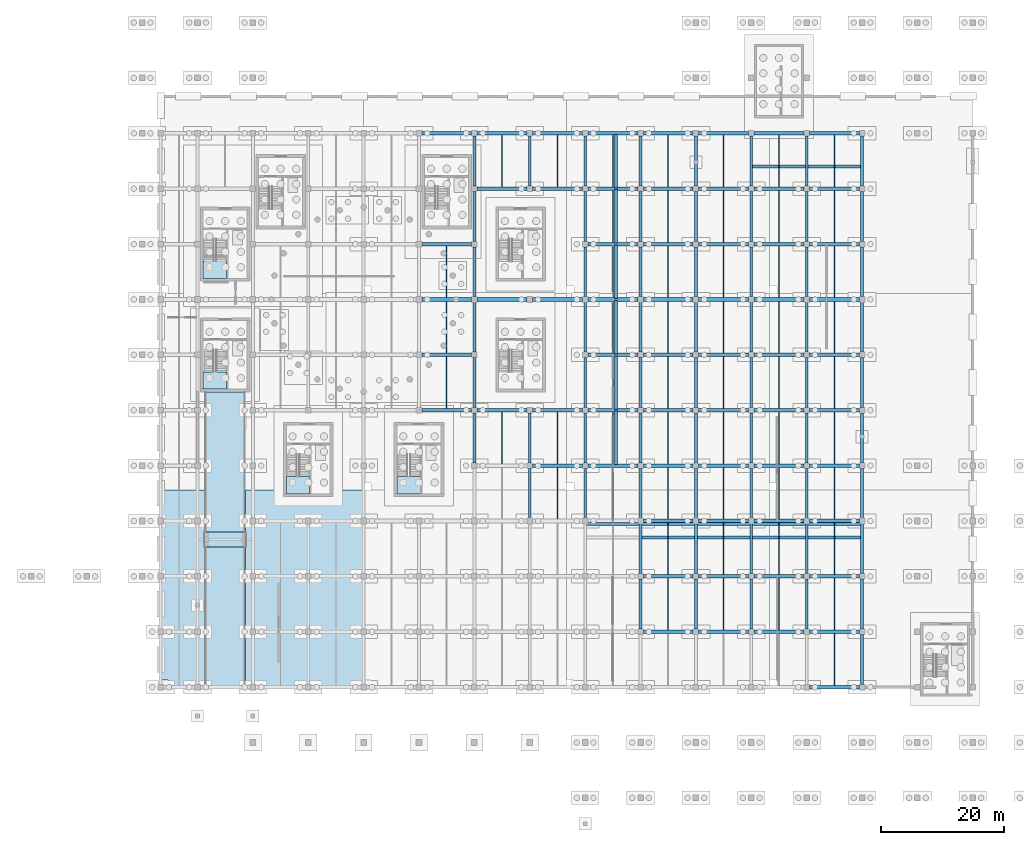
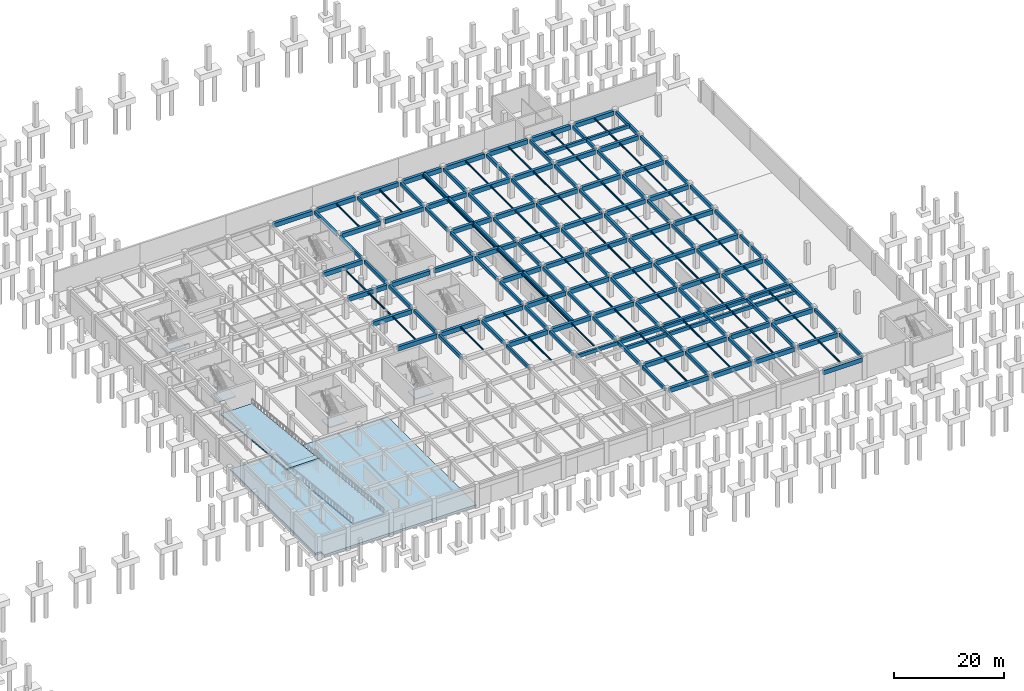
# One storey, part 14 of 27: 193 beams, 8 slabs, 4 elements without a shape of their own.
"""IFC4 building model written with IfcOpenShell, lengths in metres."""

import ifcopenshell
import ifcopenshell.guid

model = None  # the IFC model being written
_history = None  # IfcOwnerHistory: only IFC2X3 demands one
_inside = {}  # id of a spatial element -> (the spatial element, [elements in it])
_under = {}  # id of a project, library or spatial element -> (it, [spatial elements below it])
_declared = {}  # id of a project -> (the project, [libraries it declares])
_typed = {}  # id of a type object -> (the type object, [elements of that type])
_made_of = {}  # id of a material, layer set ... -> (it, [elements and type objects made of it])


def new_model(schema):
    """Start an empty IFC model of exactly this schema.

    Asked for "IFC4X3", IfcOpenShell would pick the latest addendum, in which some entities
    have other attributes; the version numbers below select the first issue.
    IFC2X3 requires an IfcOwnerHistory on every rooted entity: one is made here for all.
    """
    global model, _history
    if schema == "IFC4X3":
        model = ifcopenshell.file(schema_version=(4, 3, 0, 0))
    else:
        model = ifcopenshell.file(schema=schema)
    _inside.clear()
    _under.clear()
    _declared.clear()
    _typed.clear()
    _made_of.clear()
    _history = None
    if model.schema == "IFC2X3":
        org = make("IfcOrganization", Name="unknown")
        user = make(
            "IfcPersonAndOrganization",
            ThePerson=make("IfcPerson", FamilyName="unknown"),
            TheOrganization=org,
        )
        app = make(
            "IfcApplication",
            ApplicationDeveloper=org,
            Version="unknown",
            ApplicationFullName="unknown",
            ApplicationIdentifier="unknown",
        )
        _history = make(
            "IfcOwnerHistory",
            OwningUser=user,
            OwningApplication=app,
            ChangeAction="ADDED",
            CreationDate=0,
        )
    return model


def make(cls, **values):
    """One entity of the class cls with the attributes given. An attribute that is None is left unset."""
    return model.create_entity(
        cls, **{name: value for name, value in values.items() if value is not None}
    )


def rooted(cls, **values):
    """An entity with a GlobalId (a new one), such as an element, a storey or a relation."""
    return make(cls, GlobalId=ifcopenshell.guid.new(), OwnerHistory=_history, **values)


def si_unit(unit_type, name, prefix=None):
    """IfcSIUnit, for example si_unit("LENGTHUNIT", "METRE", prefix="MILLI")."""
    return make("IfcSIUnit", UnitType=unit_type, Prefix=prefix, Name=name)


def assignment(units):
    """IfcUnitAssignment: the units of a project."""
    return None if units is None else make("IfcUnitAssignment", Units=units)


def point(xyz):
    """IfcCartesianPoint."""
    return None if xyz is None else make("IfcCartesianPoint", Coordinates=xyz)


def direction(xyz):
    """IfcDirection."""
    return None if xyz is None else make("IfcDirection", DirectionRatios=xyz)


def frame(location, z_axis=None, x_axis=None):
    """IfcAxis2Placement3D, a coordinate frame: its origin and axes. An axis left out is left unset."""
    return make(
        "IfcAxis2Placement3D",
        Location=point(location),
        Axis=direction(z_axis),
        RefDirection=direction(x_axis),
    )


def frame_2d(location, x_axis=None):
    """IfcAxis2Placement2D, a coordinate frame in the plane: its origin and x axis."""
    return make(
        "IfcAxis2Placement2D", Location=point(location), RefDirection=direction(x_axis)
    )


def origin():
    """The frame at (0, 0, 0) with its axes left unset."""
    return frame((0.0, 0.0, 0.0))


def origin_2d():
    """The frame at (0, 0) in the plane with its x axis left unset."""
    return frame_2d((0.0, 0.0))


def place(relative_to, where):
    """IfcLocalPlacement: puts the frame where relative to a parent placement (None: the world)."""
    return make(
        "IfcLocalPlacement", PlacementRelTo=relative_to, RelativePlacement=where
    )


def context(
    kind, dimensions, precision=None, world=None, true_north=None, identifier=None
):
    """IfcGeometricRepresentationContext, for example the 3D "Model" context."""
    return make(
        "IfcGeometricRepresentationContext",
        ContextIdentifier=identifier,
        ContextType=kind,
        CoordinateSpaceDimension=dimensions,
        Precision=precision,
        WorldCoordinateSystem=world,
        TrueNorth=true_north,
    )


def subcontext(parent, identifier, kind, view, scale=None):
    """IfcGeometricRepresentationSubContext, for example "Body" below "Model"."""
    return make(
        "IfcGeometricRepresentationSubContext",
        ContextIdentifier=identifier,
        ContextType=kind,
        ParentContext=parent,
        TargetScale=scale,
        TargetView=view,
    )


def project(units=None, contexts=None):
    """IfcProject with its units and contexts."""
    return rooted(
        "IfcProject",
        Name="project",
        RepresentationContexts=contexts,
        UnitsInContext=assignment(units),
    )


def spatial(cls, under=None, at=None, **own):
    """A site, building, storey or space (cls), placed at a placement, below another one or the project."""
    s = rooted(cls, ObjectPlacement=at, **own)
    if under is not None:
        _under.setdefault(under.id(), (under, []))[1].append(s)
    return s


def polyline(points):
    """IfcPolyline through the points."""
    return make("IfcPolyline", Points=[point(p) for p in points])


def profile(cls, at=None, kind="AREA", **sizes):
    """A parametric profile (cls). Its sizes go by their IFC names, for example OverallWidth=200.0."""
    return make(cls, ProfileType=kind, Position=at, **sizes)


def rectangle(**sizes):
    """IfcRectangleProfileDef."""
    return profile("IfcRectangleProfileDef", **sizes)


def i_section(**sizes):
    """IfcIShapeProfileDef."""
    return profile("IfcIShapeProfileDef", **sizes)


def outline(outer, holes=None, kind="AREA"):
    """IfcArbitraryClosedProfileDef: a profile drawn as a closed curve; with holes, ...WithVoids."""
    if holes is None:
        return make("IfcArbitraryClosedProfileDef", ProfileType=kind, OuterCurve=outer)
    return make(
        "IfcArbitraryProfileDefWithVoids",
        ProfileType=kind,
        OuterCurve=outer,
        InnerCurves=holes,
    )


def extrude(swept, where, along, depth):
    """IfcExtrudedAreaSolid: the profile swept, set in the frame where, extruded along a direction by depth."""
    return make(
        "IfcExtrudedAreaSolid",
        SweptArea=swept,
        Position=where,
        ExtrudedDirection=direction(along),
        Depth=depth,
    )


def shape(context_of_items, identifier, shape_type, items):
    """IfcShapeRepresentation: the items that make up one representation, for example the "Body"."""
    return make(
        "IfcShapeRepresentation",
        ContextOfItems=context_of_items,
        RepresentationIdentifier=identifier,
        RepresentationType=shape_type,
        Items=items,
    )


def material(Name=None, Category=None):
    """IfcMaterial."""
    return make("IfcMaterial", Name=Name, Category=Category)


def layer(
    of_material, thickness, ventilated=None, Name=None, Category=None, Priority=None
):
    """IfcMaterialLayer: one layer of a wall or slab, of a material (None: an air gap)."""
    return make(
        "IfcMaterialLayer",
        Material=of_material,
        LayerThickness=thickness,
        IsVentilated=ventilated,
        Name=Name,
        Category=Category,
        Priority=Priority,
    )


def layer_set(layers, Name=None):
    """IfcMaterialLayerSet."""
    return make("IfcMaterialLayerSet", MaterialLayers=layers, LayerSetName=Name)


def material_profile(
    of_material, cross_section, Name=None, Category=None, Priority=None
):
    """IfcMaterialProfile: a cross section and its material."""
    return make(
        "IfcMaterialProfile",
        Name=Name,
        Material=of_material,
        Profile=cross_section,
        Priority=Priority,
        Category=Category,
    )


def profile_set(profiles, Name=None, composite=None):
    """IfcMaterialProfileSet."""
    return make(
        "IfcMaterialProfileSet",
        Name=Name,
        MaterialProfiles=profiles,
        CompositeProfile=composite,
    )


def made_of(thing, what):
    """Note that an element or type object is made of a material, layer set ...; save() writes the relation."""
    if what is not None:
        _made_of.setdefault(what.id(), (what, []))[1].append(thing)
    return thing


def type_object(cls, material=None, **own):
    """A type object (cls), such as IfcWallType, which elements share."""
    return made_of(rooted(cls, **own), material)


def element(
    cls,
    number,
    at=None,
    inside=None,
    cuts=None,
    type_object=None,
    material=None,
    context=None,
    identifier="Body",
    shape_type=None,
    held_by="IfcProductDefinitionShape",
    body=None,
    shapes=None,
    **own,
):
    """One element of the class cls, such as IfcWall. Its Tag is "e" and its number.

    at: its placement. inside: the storey or other place that contains it. cuts: it is an
    opening in that element (IfcRelVoidsElement). A single representation is given by context,
    identifier, shape_type and body (its items); several are given by shapes. held_by: the class
    of the entity that holds the representations. save() writes the other relations.
    """
    e = rooted(cls, Tag="e%d" % number, ObjectPlacement=at, **own)
    if body is not None:
        shapes = [shape(context, identifier, shape_type, body)]
    if shapes is not None:
        e.Representation = make(held_by, Representations=shapes)
    if inside is not None:
        _inside.setdefault(inside.id(), (inside, []))[1].append(e)
    if cuts is not None:
        rooted(
            "IfcRelVoidsElement", RelatingBuildingElement=cuts, RelatedOpeningElement=e
        )
    if type_object is not None:
        _typed.setdefault(type_object.id(), (type_object, []))[1].append(e)
    return made_of(e, material)


def aggregate(whole, parts):
    """IfcRelAggregates: a whole, such as a stair, and the parts it consists of."""
    return rooted("IfcRelAggregates", RelatingObject=whole, RelatedObjects=parts)


def save(model, path):
    """Write the relations noted so far, then the file.

    IfcRelAggregates (storeys below a building ...), IfcRelContainedInSpatialStructure (elements
    in a storey), IfcRelDefinesByType, IfcRelAssociatesMaterial and IfcRelDeclares: one each for
    every whole, place, type object, material and project.
    """
    for whole, parts in _under.values():
        aggregate(whole, parts)
    for where, things in _inside.values():
        rooted(
            "IfcRelContainedInSpatialStructure",
            RelatedElements=things,
            RelatingStructure=where,
        )
    for kind, things in _typed.values():
        rooted("IfcRelDefinesByType", RelatedObjects=things, RelatingType=kind)
    for what, things in _made_of.values():
        rooted("IfcRelAssociatesMaterial", RelatedObjects=things, RelatingMaterial=what)
    for by, libraries in _declared.values():
        rooted("IfcRelDeclares", RelatingContext=by, RelatedDefinitions=libraries)
    model.write(path)


model = new_model("IFC4")

# Units and contexts
model_context = context("Model", 3, precision=1e-05, world=origin(), true_north=direction((0.0, 1.0)))
body_context = subcontext(model_context, "Body", "Model", "MODEL_VIEW")
ifc_project = project(units=[si_unit("LENGTHUNIT", "METRE"), si_unit("AREAUNIT", "SQUARE_METRE"), si_unit("VOLUMEUNIT", "CUBIC_METRE"), si_unit("PLANEANGLEUNIT", "RADIAN"), si_unit("MASSUNIT", "GRAM", prefix="KILO")], contexts=[model_context])

# Site, building, storey
site_placement = place(None, origin())
site = spatial("IfcSite", under=ifc_project, at=site_placement, CompositionType="ELEMENT")
building_placement = place(site_placement, origin())
building = spatial("IfcBuilding", under=site, at=building_placement, Name="Dornveld Trade and Exhibition Forum", CompositionType="ELEMENT")
storey_placement = place(building_placement, frame((0.0, 0.0, -4.800048828125)))
storey = spatial("IfcBuildingStorey", under=building, at=storey_placement, Name="B1", CompositionType="ELEMENT", Elevation=-4.800048828125)

# Beams
ifc_material_1 = material(Name="Steel S355J2", Category="steel")
ifc_material_profile_1 = material_profile(ifc_material_1, i_section(OverallWidth=0.169921875, OverallDepth=0.360107421875, WebThickness=0.008056640625, FlangeThickness=0.0126953125, FilletRadius=0.01806640625, at=origin_2d()), Name="IPE 360")
ifc_profile_set_1 = profile_set([ifc_material_profile_1], Name="Steel S355J2")
beam_type_1 = type_object("IfcBeamType", Name="BM-JOIST-360", PredefinedType="JOIST", material=ifc_profile_set_1)
for number, where, z_axis, x_axis, name in (
    (1, (130.5, 63.297119140625, 4.239990234375), (0.0, 1.0, 0.0), (-1.0, 0.0, 0.0), "B1 secondary joist 295"),
    (2, (130.5, 72.297119140625, 4.239990234375), (0.0, 1.0, 0.0), (-1.0, 0.0, 0.0), "B1 secondary joist 296"),
    (3, (130.5, 81.297119140625, 4.239990234375), (0.0, 1.0, 0.0), (-1.0, 0.0, 0.0), "B1 secondary joist 297"),
    (4, (139.5, 54.297119140625, 4.239990234375), (0.0, 1.0, 0.0), (-1.0, 0.0, 0.0), "B1 secondary joist 302"),
    (5, (139.5, 99.297119140625, 4.239990234375), (0.0, 1.0, 0.0), (-1.0, 0.0, 0.0), "B1 secondary joist 303"),
    (6, (148.5, 45.297119140625, 4.239990234375), (0.0, 1.0, 0.0), (-1.0, 0.0, 0.0), "B1 secondary joist 307"),
    (7, (148.5, 54.297119140625, 4.239990234375), (0.0, 1.0, 0.0), (-1.0, 0.0, 0.0), "B1 secondary joist 308"),
    (8, (148.5, 99.297119140625, 4.239990234375), (0.0, 1.0, 0.0), (-1.0, 0.0, 0.0), "B1 secondary joist 309"),
    (9, (157.5, 45.297119140625, 4.239990234375), (0.0, 1.0, 0.0), (-1.0, 0.0, 0.0), "B1 secondary joist 313"),
    (10, (157.5, 54.297119140625, 4.239990234375), (0.0, 1.0, 0.0), (-1.0, 0.0, 0.0), "B1 secondary joist 314"),
    (11, (157.5, 63.297119140625, 4.239990234375), (0.0, 1.0, 0.0), (-1.0, 0.0, 0.0), "B1 secondary joist 315"),
    (12, (157.5, 72.297119140625, 4.239990234375), (0.0, 1.0, 0.0), (-1.0, 0.0, 0.0), "B1 secondary joist 316"),
    (13, (157.5, 81.297119140625, 4.239990234375), (0.0, 1.0, 0.0), (-1.0, 0.0, 0.0), "B1 secondary joist 317"),
    (14, (157.5, 90.297119140625, 4.239990234375), (0.0, 1.0, 0.0), (-1.0, 0.0, 0.0), "B1 secondary joist 318"),
    (15, (157.5, 99.297119140625, 4.239990234375), (0.0, 1.0, 0.0), (-1.0, 0.0, 0.0), "B1 secondary joist 319"),
    (16, (166.5, 27.297119140625, 4.239990234375), (0.0, 1.0, 0.0), (-1.0, 0.0, 0.0), "B1 secondary joist 321"),
    (17, (166.5, 36.297119140625, 4.239990234375), (0.0, 1.0, 0.0), (-1.0, 0.0, 0.0), "B1 secondary joist 322"),
    (18, (166.5, 45.297119140625, 4.239990234375), (0.0, 1.0, 0.0), (-1.0, 0.0, 0.0), "B1 secondary joist 323"),
    (19, (166.5, 54.297119140625, 4.239990234375), (0.0, 1.0, 0.0), (-1.0, 0.0, 0.0), "B1 secondary joist 324"),
    (20, (166.5, 63.297119140625, 4.239990234375), (0.0, 1.0, 0.0), (-1.0, 0.0, 0.0), "B1 secondary joist 325"),
    (21, (166.5, 72.297119140625, 4.239990234375), (0.0, 1.0, 0.0), (-1.0, 0.0, 0.0), "B1 secondary joist 326"),
    (22, (166.5, 81.297119140625, 4.239990234375), (0.0, 1.0, 0.0), (-1.0, 0.0, 0.0), "B1 secondary joist 327"),
    (23, (166.5, 90.297119140625, 4.239990234375), (0.0, 1.0, 0.0), (-1.0, 0.0, 0.0), "B1 secondary joist 328"),
    (24, (166.5, 99.297119140625, 4.239990234375), (0.0, 1.0, 0.0), (-1.0, 0.0, 0.0), "B1 secondary joist 329"),
    (25, (175.5, 27.297119140625, 4.239990234375), (0.0, 1.0, 0.0), (-1.0, 0.0, 0.0), "B1 secondary joist 331"),
    (26, (175.5, 36.297119140625, 4.239990234375), (0.0, 1.0, 0.0), (-1.0, 0.0, 0.0), "B1 secondary joist 332"),
    (27, (175.5, 45.297119140625, 4.239990234375), (0.0, 1.0, 0.0), (-1.0, 0.0, 0.0), "B1 secondary joist 333"),
    (28, (175.5, 54.297119140625, 4.239990234375), (0.0, 1.0, 0.0), (-1.0, 0.0, 0.0), "B1 secondary joist 334"),
    (29, (175.5, 63.297119140625, 4.239990234375), (0.0, 1.0, 0.0), (-1.0, 0.0, 0.0), "B1 secondary joist 335"),
    (30, (175.5, 72.297119140625, 4.239990234375), (0.0, 1.0, 0.0), (-1.0, 0.0, 0.0), "B1 secondary joist 336"),
    (31, (175.5, 81.297119140625, 4.239990234375), (0.0, 1.0, 0.0), (-1.0, 0.0, 0.0), "B1 secondary joist 337"),
    (32, (175.5, 90.297119140625, 4.239990234375), (0.0, 1.0, 0.0), (-1.0, 0.0, 0.0), "B1 secondary joist 338"),
    (33, (175.5, 99.297119140625, 4.22802734375), (0.0, 1.0, 0.0), (-1.0, 0.0, 0.0), "B1 secondary joist 339"),
    (34, (184.5, 27.297119140625, 4.239990234375), (0.0, 1.0, 0.0), (-1.0, 0.0, 0.0), "B1 secondary joist 341"),
    (35, (184.5, 36.297119140625, 4.239990234375), (0.0, 1.0, 0.0), (-1.0, 0.0, 0.0), "B1 secondary joist 342"),
    (36, (184.5, 45.297119140625, 4.239990234375), (0.0, 1.0, 0.0), (-1.0, 0.0, 0.0), "B1 secondary joist 343"),
    (37, (184.5, 54.297119140625, 4.239990234375), (0.0, 1.0, 0.0), (-1.0, 0.0, 0.0), "B1 secondary joist 344"),
    (38, (184.5, 63.297119140625, 4.239990234375), (0.0, 1.0, 0.0), (-1.0, 0.0, 0.0), "B1 secondary joist 345"),
    (39, (184.5, 72.297119140625, 4.239990234375), (0.0, 1.0, 0.0), (-1.0, 0.0, 0.0), "B1 secondary joist 346"),
    (40, (184.5, 81.297119140625, 4.239990234375), (0.0, 1.0, 0.0), (-1.0, 0.0, 0.0), "B1 secondary joist 347"),
    (41, (184.5, 90.297119140625, 4.239990234375), (0.0, 1.0, 0.0), (-1.0, 0.0, 0.0), "B1 secondary joist 348"),
    (42, (184.5, 99.297119140625, 4.22802734375), (0.0, 1.0, 0.0), (-1.0, 0.0, 0.0), "B1 secondary joist 349"),
    (43, (193.5, 18.297119140625, 4.239990234375), (0.0, 1.0, 0.0), (-1.0, 0.0, 0.0), "B1 secondary joist 350"),
    (44, (193.5, 27.297119140625, 4.239990234375), (0.0, 1.0, 0.0), (-1.0, 0.0, 0.0), "B1 secondary joist 351"),
    (45, (193.5, 36.297119140625, 4.239990234375), (0.0, 1.0, 0.0), (-1.0, 0.0, 0.0), "B1 secondary joist 352"),
    (46, (193.5, 45.297119140625, 4.239990234375), (0.0, 1.0, 0.0), (-1.0, 0.0, 0.0), "B1 secondary joist 353"),
    (47, (193.5, 54.297119140625, 4.239990234375), (0.0, 1.0, 0.0), (-1.0, 0.0, 0.0), "B1 secondary joist 354"),
    (48, (193.5, 63.297119140625, 4.239990234375), (0.0, 1.0, 0.0), (-1.0, 0.0, 0.0), "B1 secondary joist 355"),
    (49, (193.5, 72.297119140625, 4.239990234375), (0.0, 1.0, 0.0), (-1.0, 0.0, 0.0), "B1 secondary joist 356"),
    (50, (193.5, 81.297119140625, 4.239990234375), (0.0, 1.0, 0.0), (-1.0, 0.0, 0.0), "B1 secondary joist 357"),
    (51, (193.5, 90.297119140625, 4.239990234375), (0.0, 1.0, 0.0), (-1.0, 0.0, 0.0), "B1 secondary joist 358"),
    (52, (193.5, 99.297119140625, 4.22802734375), (0.0, 1.0, 0.0), (-1.0, 0.0, 0.0), "B1 secondary joist 359"),
):
    element("IfcBeam", number, at=place(storey_placement, frame(where, z_axis=z_axis, x_axis=x_axis)), inside=storey, type_object=beam_type_1, Name=name, PredefinedType="JOIST", context=body_context, shape_type="SweptSolid", body=[
        extrude(i_section(OverallWidth=0.169921875, OverallDepth=0.360107421875, WebThickness=0.008056640625, FlangeThickness=0.0126953125, FilletRadius=0.01806640625, at=origin_2d()), origin(), (0.0, 0.0, 1.0), 8.40576171875),
    ])
ifc_material_2 = material(Name="Precast concrete C50/60", Category="concrete")
ifc_material_profile_2 = material_profile(ifc_material_2, rectangle(XDim=0.449951171875, YDim=0.75, at=origin_2d()), Name="PC-BM 450x750")
ifc_profile_set_2 = profile_set([ifc_material_profile_2], Name="Precast concrete C50/60")
beam_type_2 = type_object("IfcBeamType", Name="BM-PC-450x750", PredefinedType="BEAM", material=ifc_profile_set_2)
for number, where, z_axis, x_axis, name in (
    (53, (135.0, 54.446044921875, 4.045166015625), (0.0, 1.0, 0.0), (-1.0, 0.0, 0.0), "B1 Y-girder 187"),
    (54, (135.0, 63.446044921875, 4.045166015625), (0.0, 1.0, 0.0), (-1.0, 0.0, 0.0), "B1 Y-girder 188"),
    (55, (135.0, 72.446044921875, 4.045166015625), (0.0, 1.0, 0.0), (-1.0, 0.0, 0.0), "B1 Y-girder 189"),
    (56, (135.0, 81.446044921875, 4.045166015625), (0.0, 1.0, 0.0), (-1.0, 0.0, 0.0), "B1 Y-girder 190"),
    (57, (135.0, 90.446044921875, 4.045166015625), (0.0, 1.0, 0.0), (-1.0, 0.0, 0.0), "B1 Y-girder 191"),
    (58, (135.0, 99.446044921875, 4.045166015625), (0.0, 1.0, 0.0), (-1.0, 0.0, 0.0), "B1 Y-girder 192"),
    (59, (144.0, 45.446044921875, 4.045166015625), (0.0, 1.0, 0.0), (-1.0, 0.0, 0.0), "B1 Y-girder 196"),
    (60, (144.0, 54.446044921875, 4.045166015625), (0.0, 1.0, 0.0), (-1.0, 0.0, 0.0), "B1 Y-girder 197"),
    (61, (144.0, 99.446044921875, 4.045166015625), (0.0, 1.0, 0.0), (-1.0, 0.0, 0.0), "B1 Y-girder 198"),
    (62, (153.0, 45.446044921875, 4.045166015625), (0.0, 1.0, 0.0), (-1.0, 0.0, 0.0), "B1 Y-girder 202"),
    (63, (153.0, 54.446044921875, 4.045166015625), (0.0, 1.0, 0.0), (-1.0, 0.0, 0.0), "B1 Y-girder 203"),
    (64, (153.0, 63.446044921875, 4.045166015625), (0.0, 1.0, 0.0), (-1.0, 0.0, 0.0), "B1 Y-girder 204"),
    (65, (153.0, 72.446044921875, 4.045166015625), (0.0, 1.0, 0.0), (-1.0, 0.0, 0.0), "B1 Y-girder 205"),
    (66, (153.0, 81.446044921875, 4.045166015625), (0.0, 1.0, 0.0), (-1.0, 0.0, 0.0), "B1 Y-girder 206"),
    (67, (153.0, 90.446044921875, 4.045166015625), (0.0, 1.0, 0.0), (-1.0, 0.0, 0.0), "B1 Y-girder 207"),
    (68, (153.0, 99.446044921875, 4.045166015625), (0.0, 1.0, 0.0), (-1.0, 0.0, 0.0), "B1 Y-girder 208"),
    (69, (162.0, 27.446044921875, 4.045166015625), (0.0, 1.0, 0.0), (-1.0, 0.0, 0.0), "B1 Y-girder 210"),
    (70, (162.0, 36.446044921875, 4.045166015625), (0.0, 1.0, 0.0), (-1.0, 0.0, 0.0), "B1 Y-girder 211"),
    (71, (162.0, 45.446044921875, 4.045166015625), (0.0, 1.0, 0.0), (-1.0, 0.0, 0.0), "B1 Y-girder 212"),
    (72, (162.0, 54.446044921875, 4.045166015625), (0.0, 1.0, 0.0), (-1.0, 0.0, 0.0), "B1 Y-girder 213"),
    (73, (162.0, 63.446044921875, 4.045166015625), (0.0, 1.0, 0.0), (-1.0, 0.0, 0.0), "B1 Y-girder 214"),
    (74, (162.0, 72.446044921875, 4.045166015625), (0.0, 1.0, 0.0), (-1.0, 0.0, 0.0), "B1 Y-girder 215"),
    (75, (162.0, 81.446044921875, 4.045166015625), (0.0, 1.0, 0.0), (-1.0, 0.0, 0.0), "B1 Y-girder 216"),
    (76, (162.0, 90.446044921875, 4.045166015625), (0.0, 1.0, 0.0), (-1.0, 0.0, 0.0), "B1 Y-girder 217"),
    (77, (162.0, 99.446044921875, 4.045166015625), (0.0, 1.0, 0.0), (-1.0, 0.0, 0.0), "B1 Y-girder 218"),
    (78, (171.0, 27.446044921875, 4.045166015625), (0.0, 1.0, 0.0), (-1.0, 0.0, 0.0), "B1 Y-girder 220"),
    (79, (171.0, 36.446044921875, 4.045166015625), (0.0, 1.0, 0.0), (-1.0, 0.0, 0.0), "B1 Y-girder 221"),
    (80, (171.0, 45.446044921875, 4.045166015625), (0.0, 1.0, 0.0), (-1.0, 0.0, 0.0), "B1 Y-girder 222"),
    (81, (171.0, 54.446044921875, 4.045166015625), (0.0, 1.0, 0.0), (-1.0, 0.0, 0.0), "B1 Y-girder 223"),
    (82, (171.0, 63.446044921875, 4.045166015625), (0.0, 1.0, 0.0), (-1.0, 0.0, 0.0), "B1 Y-girder 224"),
    (83, (171.0, 72.446044921875, 4.045166015625), (0.0, 1.0, 0.0), (-1.0, 0.0, 0.0), "B1 Y-girder 225"),
    (84, (171.0, 81.446044921875, 4.045166015625), (0.0, 1.0, 0.0), (-1.0, 0.0, 0.0), "B1 Y-girder 226"),
    (85, (171.0, 90.446044921875, 4.045166015625), (0.0, 1.0, 0.0), (-1.0, 0.0, 0.0), "B1 Y-girder 227"),
    (86, (171.0, 99.446044921875, 4.032958984375), (0.0, 1.0, 0.0), (-1.0, 0.0, 0.0), "B1 Y-girder 228"),
    (87, (180.0, 27.446044921875, 4.045166015625), (0.0, 1.0, 0.0), (-1.0, 0.0, 0.0), "B1 Y-girder 230"),
    (88, (180.0, 36.446044921875, 4.045166015625), (0.0, 1.0, 0.0), (-1.0, 0.0, 0.0), "B1 Y-girder 231"),
    (89, (180.0, 45.446044921875, 4.045166015625), (0.0, 1.0, 0.0), (-1.0, 0.0, 0.0), "B1 Y-girder 232"),
    (90, (180.0, 54.446044921875, 4.045166015625), (0.0, 1.0, 0.0), (-1.0, 0.0, 0.0), "B1 Y-girder 233"),
    (91, (180.0, 63.446044921875, 4.045166015625), (0.0, 1.0, 0.0), (-1.0, 0.0, 0.0), "B1 Y-girder 234"),
    (92, (180.0, 72.446044921875, 4.045166015625), (0.0, 1.0, 0.0), (-1.0, 0.0, 0.0), "B1 Y-girder 235"),
    (93, (180.0, 81.446044921875, 4.045166015625), (0.0, 1.0, 0.0), (-1.0, 0.0, 0.0), "B1 Y-girder 236"),
    (94, (180.0, 90.446044921875, 4.045166015625), (0.0, 1.0, 0.0), (-1.0, 0.0, 0.0), "B1 Y-girder 237"),
    (95, (180.0, 99.446044921875, 4.032958984375), (0.0, 1.0, 0.0), (-1.0, 0.0, 0.0), "B1 Y-girder 238"),
    (96, (189.0, 27.446044921875, 4.045166015625), (0.0, 1.0, 0.0), (-1.0, 0.0, 0.0), "B1 Y-girder 240"),
    (97, (189.0, 36.446044921875, 4.045166015625), (0.0, 1.0, 0.0), (-1.0, 0.0, 0.0), "B1 Y-girder 241"),
    (98, (189.0, 45.446044921875, 4.045166015625), (0.0, 1.0, 0.0), (-1.0, 0.0, 0.0), "B1 Y-girder 242"),
    (99, (189.0, 54.446044921875, 4.045166015625), (0.0, 1.0, 0.0), (-1.0, 0.0, 0.0), "B1 Y-girder 243"),
    (100, (189.0, 63.446044921875, 4.045166015625), (0.0, 1.0, 0.0), (-1.0, 0.0, 0.0), "B1 Y-girder 244"),
    (101, (189.0, 72.446044921875, 4.045166015625), (0.0, 1.0, 0.0), (-1.0, 0.0, 0.0), "B1 Y-girder 245"),
    (102, (189.0, 81.446044921875, 4.045166015625), (0.0, 1.0, 0.0), (-1.0, 0.0, 0.0), "B1 Y-girder 246"),
    (103, (189.0, 90.446044921875, 4.045166015625), (0.0, 1.0, 0.0), (-1.0, 0.0, 0.0), "B1 Y-girder 247"),
    (104, (189.0, 99.446044921875, 4.032958984375), (0.0, 1.0, 0.0), (-1.0, 0.0, 0.0), "B1 Y-girder 248"),
    (105, (198.0, 18.446044921875, 4.045166015625), (0.0, 1.0, 0.0), (-1.0, 0.0, 0.0), "B1 Y-girder 249"),
    (106, (198.0, 27.446044921875, 4.045166015625), (0.0, 1.0, 0.0), (-1.0, 0.0, 0.0), "B1 Y-girder 250"),
    (107, (198.0, 36.446044921875, 4.045166015625), (0.0, 1.0, 0.0), (-1.0, 0.0, 0.0), "B1 Y-girder 251"),
    (108, (198.0, 45.446044921875, 4.045166015625), (0.0, 1.0, 0.0), (-1.0, 0.0, 0.0), "B1 Y-girder 252"),
    (109, (198.0, 54.446044921875, 4.045166015625), (0.0, 1.0, 0.0), (-1.0, 0.0, 0.0), "B1 Y-girder 253"),
    (110, (198.0, 63.446044921875, 4.045166015625), (0.0, 1.0, 0.0), (-1.0, 0.0, 0.0), "B1 Y-girder 254"),
    (111, (198.0, 72.446044921875, 4.045166015625), (0.0, 1.0, 0.0), (-1.0, 0.0, 0.0), "B1 Y-girder 255"),
    (112, (198.0, 81.446044921875, 4.045166015625), (0.0, 1.0, 0.0), (-1.0, 0.0, 0.0), "B1 Y-girder 256"),
    (113, (198.0, 90.446044921875, 4.045166015625), (0.0, 1.0, 0.0), (-1.0, 0.0, 0.0), "B1 Y-girder 257"),
    (114, (198.0, 99.446044921875, 4.032958984375), (0.0, 1.0, 0.0), (-1.0, 0.0, 0.0), "B1 Y-girder 258"),
):
    element("IfcBeam", number, at=place(storey_placement, frame(where, z_axis=z_axis, x_axis=x_axis)), inside=storey, type_object=beam_type_2, Name=name, PredefinedType="BEAM", context=body_context, shape_type="SweptSolid", body=[
        extrude(rectangle(XDim=0.449951171875, YDim=0.75, at=origin_2d()), origin(), (0.0, 0.0, 1.0), 8.10791015625),
    ])
for number, where, z_axis, x_axis, name in (
    (115, (153.155029296875, 44.5, 4.04296875), (1.0, 0.0, 0.0), (0.0, 1.0, 0.0), "Stage plinth support beam N1"),
    (116, (162.155029296875, 42.300048828125, 4.04296875), (1.0, 0.0, 0.0), (0.0, 1.0, 0.0), "Stage plinth support beam S2"),
    (117, (162.155029296875, 44.5, 4.04296875), (1.0, 0.0, 0.0), (0.0, 1.0, 0.0), "Stage plinth support beam N2"),
    (118, (171.155029296875, 42.300048828125, 4.04296875), (1.0, 0.0, 0.0), (0.0, 1.0, 0.0), "Stage plinth support beam S3"),
    (119, (171.155029296875, 44.5, 4.04296875), (1.0, 0.0, 0.0), (0.0, 1.0, 0.0), "Stage plinth support beam N3"),
    (120, (180.155029296875, 42.300048828125, 4.04296875), (1.0, 0.0, 0.0), (0.0, 1.0, 0.0), "Stage plinth support beam S4"),
    (121, (180.155029296875, 44.5, 4.04296875), (1.0, 0.0, 0.0), (0.0, 1.0, 0.0), "Stage plinth support beam N4"),
    (122, (189.155029296875, 42.300048828125, 4.04296875), (1.0, 0.0, 0.0), (0.0, 1.0, 0.0), "Stage plinth support beam S5"),
    (123, (189.155029296875, 44.5, 4.04296875), (1.0, 0.0, 0.0), (0.0, 1.0, 0.0), "Stage plinth support beam N5"),
    (124, (158.0, 54.155029296875, 4.195068359375), (0.0, 1.0, 0.0), (-1.0, 0.0, 0.0), "Garden court west edge beam 1"),
    (125, (158.0, 63.155029296875, 4.195068359375), (0.0, 1.0, 0.0), (-1.0, 0.0, 0.0), "Garden court west edge beam 2"),
    (126, (158.0, 72.155029296875, 4.195068359375), (0.0, 1.0, 0.0), (-1.0, 0.0, 0.0), "Garden court west edge beam 3"),
    (127, (158.0, 81.155029296875, 4.195068359375), (0.0, 1.0, 0.0), (-1.0, 0.0, 0.0), "Garden court west edge beam 4"),
    (128, (158.0, 90.155029296875, 4.195068359375), (0.0, 1.0, 0.0), (-1.0, 0.0, 0.0), "Garden court west edge beam 5"),
    (129, (158.0, 99.155029296875, 4.195068359375), (0.0, 1.0, 0.0), (-1.0, 0.0, 0.0), "Garden court west edge beam 6"),
    (130, (180.155029296875, 102.60009765625, 4.195068359375), (1.0, 0.0, 0.0), (0.0, 1.0, 0.0), "Garden court north edge beam 1"),
    (131, (189.155029296875, 102.60009765625, 4.195068359375), (1.0, 0.0, 0.0), (0.0, 1.0, 0.0), "Garden court north edge beam 2"),
):
    element("IfcBeam", number, at=place(storey_placement, frame(where, z_axis=z_axis, x_axis=x_axis)), inside=storey, type_object=beam_type_2, Name=name, PredefinedType="BEAM", context=body_context, shape_type="SweptSolid", body=[
        extrude(rectangle(XDim=0.449951171875, YDim=0.75, at=origin_2d()), origin(), (0.0, 0.0, 1.0), 8.68994140625),
    ])
ifc_material_3 = material(Name="Precast concrete C50/60", Category="concrete")
ifc_material_profile_3 = material_profile(ifc_material_3, rectangle(XDim=0.60009765625, YDim=0.949951171875, at=origin_2d()), Name="PC-GIR 600x950")
ifc_profile_set_3 = profile_set([ifc_material_profile_3], Name="Precast concrete C50/60")
beam_type_3 = type_object("IfcBeamType", Name="BM-PC-600x950", PredefinedType="T_BEAM", material=ifc_profile_set_3)
for number, where, z_axis, x_axis, name in (
    (132, (189.446044921875, 18.0, 3.945068359375), (1.0, 0.0, 0.0), (0.0, 1.0, 0.0), "B1 X-girder 13"),
    (133, (162.446044921875, 27.0, 3.945068359375), (1.0, 0.0, 0.0), (0.0, 1.0, 0.0), "B1 X-girder 22"),
    (134, (171.446044921875, 27.0, 3.945068359375), (1.0, 0.0, 0.0), (0.0, 1.0, 0.0), "B1 X-girder 23"),
    (135, (180.446044921875, 27.0, 3.945068359375), (1.0, 0.0, 0.0), (0.0, 1.0, 0.0), "B1 X-girder 24"),
    (136, (189.446044921875, 27.0, 3.945068359375), (1.0, 0.0, 0.0), (0.0, 1.0, 0.0), "B1 X-girder 25"),
    (137, (162.446044921875, 36.0, 3.945068359375), (1.0, 0.0, 0.0), (0.0, 1.0, 0.0), "B1 X-girder 34"),
    (138, (171.446044921875, 36.0, 3.945068359375), (1.0, 0.0, 0.0), (0.0, 1.0, 0.0), "B1 X-girder 35"),
    (139, (180.446044921875, 36.0, 3.945068359375), (1.0, 0.0, 0.0), (0.0, 1.0, 0.0), "B1 X-girder 36"),
    (140, (189.446044921875, 36.0, 3.945068359375), (1.0, 0.0, 0.0), (0.0, 1.0, 0.0), "B1 X-girder 37"),
    (141, (162.446044921875, 45.0, 3.945068359375), (1.0, 0.0, 0.0), (0.0, 1.0, 0.0), "B1 X-girder 46"),
    (142, (171.446044921875, 45.0, 3.945068359375), (1.0, 0.0, 0.0), (0.0, 1.0, 0.0), "B1 X-girder 47"),
    (143, (180.446044921875, 45.0, 3.945068359375), (1.0, 0.0, 0.0), (0.0, 1.0, 0.0), "B1 X-girder 48"),
    (144, (189.446044921875, 45.0, 3.945068359375), (1.0, 0.0, 0.0), (0.0, 1.0, 0.0), "B1 X-girder 49"),
    (145, (144.446044921875, 54.0, 3.945068359375), (1.0, 0.0, 0.0), (0.0, 1.0, 0.0), "B1 X-girder 52"),
    (146, (153.446044921875, 54.0, 3.945068359375), (1.0, 0.0, 0.0), (0.0, 1.0, 0.0), "B1 X-girder 53"),
    (147, (162.446044921875, 54.0, 3.945068359375), (1.0, 0.0, 0.0), (0.0, 1.0, 0.0), "B1 X-girder 54"),
    (148, (171.446044921875, 54.0, 3.945068359375), (1.0, 0.0, 0.0), (0.0, 1.0, 0.0), "B1 X-girder 55"),
    (149, (180.446044921875, 54.0, 3.945068359375), (1.0, 0.0, 0.0), (0.0, 1.0, 0.0), "B1 X-girder 56"),
    (150, (189.446044921875, 54.0, 3.945068359375), (1.0, 0.0, 0.0), (0.0, 1.0, 0.0), "B1 X-girder 57"),
    (151, (126.446044921875, 63.0, 3.945068359375), (1.0, 0.0, 0.0), (0.0, 1.0, 0.0), "B1 X-girder 62"),
    (152, (135.446044921875, 63.0, 3.945068359375), (1.0, 0.0, 0.0), (0.0, 1.0, 0.0), "B1 X-girder 63"),
    (153, (144.446044921875, 63.0, 3.945068359375), (1.0, 0.0, 0.0), (0.0, 1.0, 0.0), "B1 X-girder 64"),
    (154, (153.446044921875, 63.0, 3.945068359375), (1.0, 0.0, 0.0), (0.0, 1.0, 0.0), "B1 X-girder 65"),
    (155, (162.446044921875, 63.0, 3.945068359375), (1.0, 0.0, 0.0), (0.0, 1.0, 0.0), "B1 X-girder 66"),
    (156, (171.446044921875, 63.0, 3.945068359375), (1.0, 0.0, 0.0), (0.0, 1.0, 0.0), "B1 X-girder 67"),
    (157, (180.446044921875, 63.0, 3.945068359375), (1.0, 0.0, 0.0), (0.0, 1.0, 0.0), "B1 X-girder 68"),
    (158, (189.446044921875, 63.0, 3.945068359375), (1.0, 0.0, 0.0), (0.0, 1.0, 0.0), "B1 X-girder 69"),
    (159, (126.446044921875, 72.0, 3.945068359375), (1.0, 0.0, 0.0), (0.0, 1.0, 0.0), "B1 X-girder 74"),
    (160, (153.446044921875, 72.0, 3.945068359375), (1.0, 0.0, 0.0), (0.0, 1.0, 0.0), "B1 X-girder 75"),
    (161, (162.446044921875, 72.0, 3.945068359375), (1.0, 0.0, 0.0), (0.0, 1.0, 0.0), "B1 X-girder 76"),
    (162, (171.446044921875, 72.0, 3.945068359375), (1.0, 0.0, 0.0), (0.0, 1.0, 0.0), "B1 X-girder 77"),
    (163, (180.446044921875, 72.0, 3.945068359375), (1.0, 0.0, 0.0), (0.0, 1.0, 0.0), "B1 X-girder 78"),
    (164, (189.446044921875, 72.0, 3.945068359375), (1.0, 0.0, 0.0), (0.0, 1.0, 0.0), "B1 X-girder 79"),
    (165, (126.446044921875, 81.0, 3.945068359375), (1.0, 0.0, 0.0), (0.0, 1.0, 0.0), "B1 X-girder 85"),
    (166, (135.446044921875, 81.0, 3.945068359375), (1.0, 0.0, 0.0), (0.0, 1.0, 0.0), "B1 X-girder 86"),
    (167, (144.446044921875, 81.0, 3.945068359375), (1.0, 0.0, 0.0), (0.0, 1.0, 0.0), "B1 X-girder 87"),
    (168, (153.446044921875, 81.0, 3.945068359375), (1.0, 0.0, 0.0), (0.0, 1.0, 0.0), "B1 X-girder 88"),
    (169, (162.446044921875, 81.0, 3.945068359375), (1.0, 0.0, 0.0), (0.0, 1.0, 0.0), "B1 X-girder 89"),
    (170, (171.446044921875, 81.0, 3.945068359375), (1.0, 0.0, 0.0), (0.0, 1.0, 0.0), "B1 X-girder 90"),
    (171, (180.446044921875, 81.0, 3.945068359375), (1.0, 0.0, 0.0), (0.0, 1.0, 0.0), "B1 X-girder 91"),
    (172, (189.446044921875, 81.0, 3.945068359375), (1.0, 0.0, 0.0), (0.0, 1.0, 0.0), "B1 X-girder 92"),
    (173, (126.446044921875, 90.0, 3.945068359375), (1.0, 0.0, 0.0), (0.0, 1.0, 0.0), "B1 X-girder 97"),
    (174, (153.446044921875, 90.0, 3.945068359375), (1.0, 0.0, 0.0), (0.0, 1.0, 0.0), "B1 X-girder 98"),
    (175, (162.446044921875, 90.0, 3.945068359375), (1.0, 0.0, 0.0), (0.0, 1.0, 0.0), "B1 X-girder 99"),
    (176, (171.446044921875, 90.0, 3.945068359375), (1.0, 0.0, 0.0), (0.0, 1.0, 0.0), "B1 X-girder 100"),
    (177, (180.446044921875, 90.0, 3.945068359375), (1.0, 0.0, 0.0), (0.0, 1.0, 0.0), "B1 X-girder 101"),
    (178, (189.446044921875, 90.0, 3.945068359375), (1.0, 0.0, 0.0), (0.0, 1.0, 0.0), "B1 X-girder 102"),
    (179, (135.446044921875, 99.0, 3.945068359375), (1.0, 0.0, 0.0), (0.0, 1.0, 0.0), "B1 X-girder 107"),
    (180, (144.446044921875, 99.0, 3.945068359375), (1.0, 0.0, 0.0), (0.0, 1.0, 0.0), "B1 X-girder 108"),
    (181, (153.446044921875, 99.0, 3.945068359375), (1.0, 0.0, 0.0), (0.0, 1.0, 0.0), "B1 X-girder 109"),
    (182, (162.446044921875, 99.0, 3.945068359375), (1.0, 0.0, 0.0), (0.0, 1.0, 0.0), "B1 X-girder 110"),
    (183, (171.446044921875, 99.0, 3.945068359375), (1.0, 0.0, 0.0), (0.0, 1.0, 0.0), "B1 X-girder 111"),
    (184, (180.446044921875, 99.0, 3.945068359375), (1.0, 0.0, 0.0), (0.0, 1.0, 0.0), "B1 X-girder 112"),
    (185, (189.446044921875, 99.0, 3.945068359375), (1.0, 0.0, 0.0), (0.0, 1.0, 0.0), "B1 X-girder 113"),
    (186, (126.446044921875, 108.0, 3.945068359375), (1.0, 0.0, 0.0), (0.0, 1.0, 0.0), "B1 X-girder 119"),
    (187, (135.446044921875, 108.0, 3.945068359375), (1.0, 0.0, 0.0), (0.0, 1.0, 0.0), "B1 X-girder 120"),
    (188, (144.446044921875, 108.0, 3.945068359375), (1.0, 0.0, 0.0), (0.0, 1.0, 0.0), "B1 X-girder 121"),
    (189, (153.446044921875, 108.0, 3.945068359375), (1.0, 0.0, 0.0), (0.0, 1.0, 0.0), "B1 X-girder 122"),
    (190, (162.446044921875, 108.0, 3.945068359375), (1.0, 0.0, 0.0), (0.0, 1.0, 0.0), "B1 X-girder 123"),
    (191, (171.446044921875, 108.0, 3.93310546875), (1.0, 0.0, 0.0), (0.0, 1.0, 0.0), "B1 X-girder 124"),
    (192, (180.446044921875, 108.0, 3.93310546875), (1.0, 0.0, 0.0), (0.0, 1.0, 0.0), "B1 X-girder 125"),
    (193, (189.446044921875, 108.0, 3.93310546875), (1.0, 0.0, 0.0), (0.0, 1.0, 0.0), "B1 X-girder 126"),
):
    element("IfcBeam", number, at=place(storey_placement, frame(where, z_axis=z_axis, x_axis=x_axis)), inside=storey, type_object=beam_type_3, Name=name, PredefinedType="T_BEAM", context=body_context, shape_type="SweptSolid", body=[
        extrude(rectangle(XDim=0.60009765625, YDim=0.949951171875, at=origin_2d()), origin(), (0.0, 0.0, 1.0), 8.10791015625),
    ])

# Slab
ifc_material_4 = material(Name="Concrete C40/50", Category="concrete")
ifc_layer_1 = layer(ifc_material_4, 0.449951171875)
ifc_layer_set_1 = layer_set([ifc_layer_1], Name="Concrete C40/50")
slab_type_1 = type_object("IfcSlabType", Name="SL-BASE-450", PredefinedType="BASESLAB", material=ifc_layer_set_1)
slab_1_placement = place(storey_placement, frame((0.0, 0.0, -0.449951171875)))
element("IfcSlab", 194, at=slab_1_placement, inside=storey, type_object=slab_type_1, Name="B1 structural slab panel 1", PredefinedType="BASESLAB", context=body_context, shape_type="SweptSolid", body=[
    extrude(outline(polyline([(85.199951171875, 18.0), (117.0, 18.0), (117.0, 50.0), (84.0, 50.0), (84.0, 19.199951171875), (85.199951171875, 19.199951171875), (85.199951171875, 18.0)])), origin(), (0.0, 0.0, 1.0), 0.449951171875),
])

# Stair, slab
ifc_material_5 = material(Name="Concrete C40/50", Category="concrete")
stair_type_1 = type_object("IfcStairType", Name="ST-2RET-480A", PredefinedType="HALF_TURN_STAIR", material=ifc_material_5)
stair_1_placement = place(storey_placement, origin())
stair_1 = element("IfcStair", 195, at=stair_1_placement, inside=storey, type_object=stair_type_1, Name="CORE-05 escape stair B1 to L00", PredefinedType="HALF_TURN_STAIR")
ifc_material_6 = material(Name="Concrete C40/50", Category="concrete")
ifc_layer_2 = layer(ifc_material_6, 0.199951171875)
ifc_layer_set_2 = layer_set([ifc_layer_2], Name="Concrete C40/50")
slab_type_2 = type_object("IfcSlabType", Name="SL-LAND-200", PredefinedType="LANDING", material=ifc_layer_set_2)
slab_2_placement = place(storey_placement, frame((0.0, 0.0, 2.199951171875)))
slab_2 = element("IfcSlab", 196, at=slab_2_placement, type_object=slab_type_2, Name="ST-05-B1 landing 1", PredefinedType="LANDING", context=body_context, shape_type="SweptSolid", body=[
    extrude(outline(polyline([(90.925048828125, 66.425048828125), (94.719970703125, 66.425048828125), (94.719970703125, 69.235107421875), (90.925048828125, 69.235107421875), (90.925048828125, 66.425048828125)])), origin(), (0.0, 0.0, 1.0), 0.2001953125),
])
aggregate(stair_1, [slab_2])

stair_2_placement = place(storey_placement, origin())
stair_2 = element("IfcStair", 197, at=stair_2_placement, inside=storey, type_object=stair_type_1, Name="CORE-07 escape stair B1 to L00", PredefinedType="HALF_TURN_STAIR")
slab_3_placement = place(storey_placement, frame((0.0, 0.0, 2.199951171875)))
slab_3 = element("IfcSlab", 198, at=slab_3_placement, type_object=slab_type_2, Name="ST-07-B1 landing 1", PredefinedType="LANDING", context=body_context, shape_type="SweptSolid", body=[
    extrude(outline(polyline([(122.425048828125, 49.425048828125), (126.219970703125, 49.425048828125), (126.219970703125, 52.235107421875), (122.425048828125, 52.235107421875), (122.425048828125, 49.425048828125)])), origin(), (0.0, 0.0, 1.0), 0.2001953125),
])
aggregate(stair_2, [slab_3])

ifc_material_7 = material(Name="Concrete C40/50", Category="concrete")
stair_type_2 = type_object("IfcStairType", Name="ST-2RET-480B", PredefinedType="HALF_TURN_STAIR", material=ifc_material_7)
stair_3_placement = place(storey_placement, origin())
stair_3 = element("IfcStair", 199, at=stair_3_placement, inside=storey, type_object=stair_type_2, Name="CORE-04 escape stair B1 to L00", PredefinedType="HALF_TURN_STAIR")
ifc_material_8 = material(Name="Concrete C40/50", Category="concrete")
ifc_layer_3 = layer(ifc_material_8, 0.219970703125)
ifc_layer_set_3 = layer_set([ifc_layer_3], Name="Concrete C40/50")
slab_type_3 = type_object("IfcSlabType", Name="SL-LAND-220", PredefinedType="LANDING", material=ifc_layer_set_3)
slab_4_placement = place(storey_placement, frame((0.0, 0.0, 2.179931640625)))
slab_4 = element("IfcSlab", 200, at=slab_4_placement, type_object=slab_type_3, Name="ST-04-B1 landing 1", PredefinedType="LANDING", context=body_context, shape_type="SweptSolid", body=[
    extrude(outline(polyline([(90.925048828125, 84.425048828125), (94.719970703125, 84.425048828125), (94.719970703125, 87.235107421875), (90.925048828125, 87.235107421875), (90.925048828125, 84.425048828125)])), origin(), (0.0, 0.0, 1.0), 0.22021484375),
])
aggregate(stair_3, [slab_4])

stair_4_placement = place(storey_placement, origin())
stair_4 = element("IfcStair", 201, at=stair_4_placement, inside=storey, type_object=stair_type_2, Name="CORE-06 escape stair B1 to L00", PredefinedType="HALF_TURN_STAIR")
slab_5_placement = place(storey_placement, frame((0.0, 0.0, 2.179931640625)))
slab_5 = element("IfcSlab", 202, at=slab_5_placement, type_object=slab_type_3, Name="ST-06-B1 landing 1", PredefinedType="LANDING", context=body_context, shape_type="SweptSolid", body=[
    extrude(outline(polyline([(104.425048828125, 49.425048828125), (108.219970703125, 49.425048828125), (108.219970703125, 52.235107421875), (104.425048828125, 52.235107421875), (104.425048828125, 49.425048828125)])), origin(), (0.0, 0.0, 1.0), 0.22021484375),
])
aggregate(stair_4, [slab_5])

# Slabs
ifc_material_9 = material(Name="Concrete C40/50", Category="concrete")
ifc_layer_4 = layer(ifc_material_9, 0.300048828125)
ifc_layer_set_4 = layer_set([ifc_layer_4], Name="Concrete C40/50")
slab_type_4 = type_object("IfcSlabType", Name="SL-RAMP-300", PredefinedType="FLOOR", material=ifc_layer_set_4)
slab_6_placement = place(storey_placement, frame((91.199951171875, 66.0, 0.0), z_axis=(0.0, 0.09950973211, 0.995036588883), x_axis=(1.0, 0.0, 0.0)))
element("IfcSlab", 203, at=slab_6_placement, inside=storey, type_object=slab_type_4, Name="Basement B1 Two-Way Service and Car Park Ramp vehicle ramp structural concrete slab 1", PredefinedType="FLOOR", context=body_context, shape_type="SweptSolid", body=[
    extrude(outline(polyline([(0.0, 0.0), (6.60009765625, 0.0), (6.60009765625, -24.11971606687064), (0.0, -24.11971606687064), (0.0, 0.0)])), origin(), (0.0, 0.0, -1.0), 0.300048828125),
])
slab_7_placement = place(storey_placement, frame((91.199951171875, 42.0, 2.400146484375), z_axis=(0.0, 0.099499710289, 0.995037591075), x_axis=(1.0, 0.0, 0.0)))
element("IfcSlab", 204, at=slab_7_placement, inside=storey, type_object=slab_type_4, Name="Basement B1 Two-Way Service and Car Park Ramp vehicle ramp structural concrete slab 2", PredefinedType="FLOOR", context=body_context, shape_type="SweptSolid", body=[
    extrude(outline(polyline([(0.0, 0.0), (6.60009765625, 0.0), (6.60009765625, -24.119691773725812), (0.0, -24.119691773725812), (0.0, 0.0)])), origin(), (0.0, 0.0, -1.0), 0.300048828125),
])
ifc_material_10 = material(Name="Concrete C40/50", Category="concrete")
ifc_layer_5 = layer(ifc_material_10, 0.340087890625)
ifc_layer_set_5 = layer_set([ifc_layer_5], Name="Concrete C40/50")
slab_type_5 = type_object("IfcSlabType", Name="SL-RAMP-340", PredefinedType="FLOOR", material=ifc_layer_set_5)
slab_8_placement = place(storey_placement, frame((0.0, 0.0, 2.080078125)))
element("IfcSlab", 205, at=slab_8_placement, inside=storey, type_object=slab_type_5, Name="Ramp intermediate bearing cap 3", PredefinedType="FLOOR", context=body_context, shape_type="SweptSolid", body=[
    extrude(outline(polyline([(91.0, 40.800048828125), (98.0, 40.800048828125), (98.0, 43.199951171875), (91.0, 43.199951171875), (91.0, 40.800048828125)])), origin(), (0.0, 0.0, 1.0), 0.320068359375),
])

save(model, "model.ifc")
